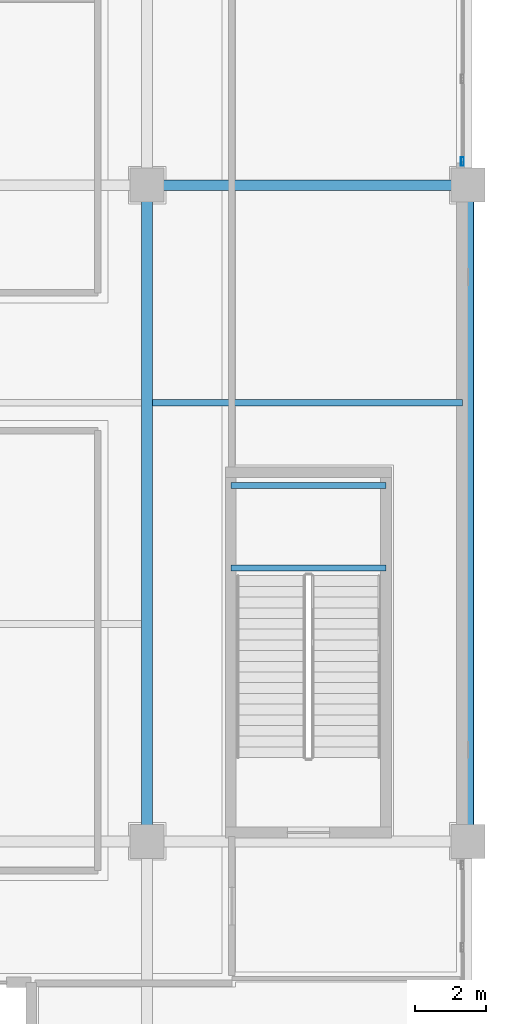
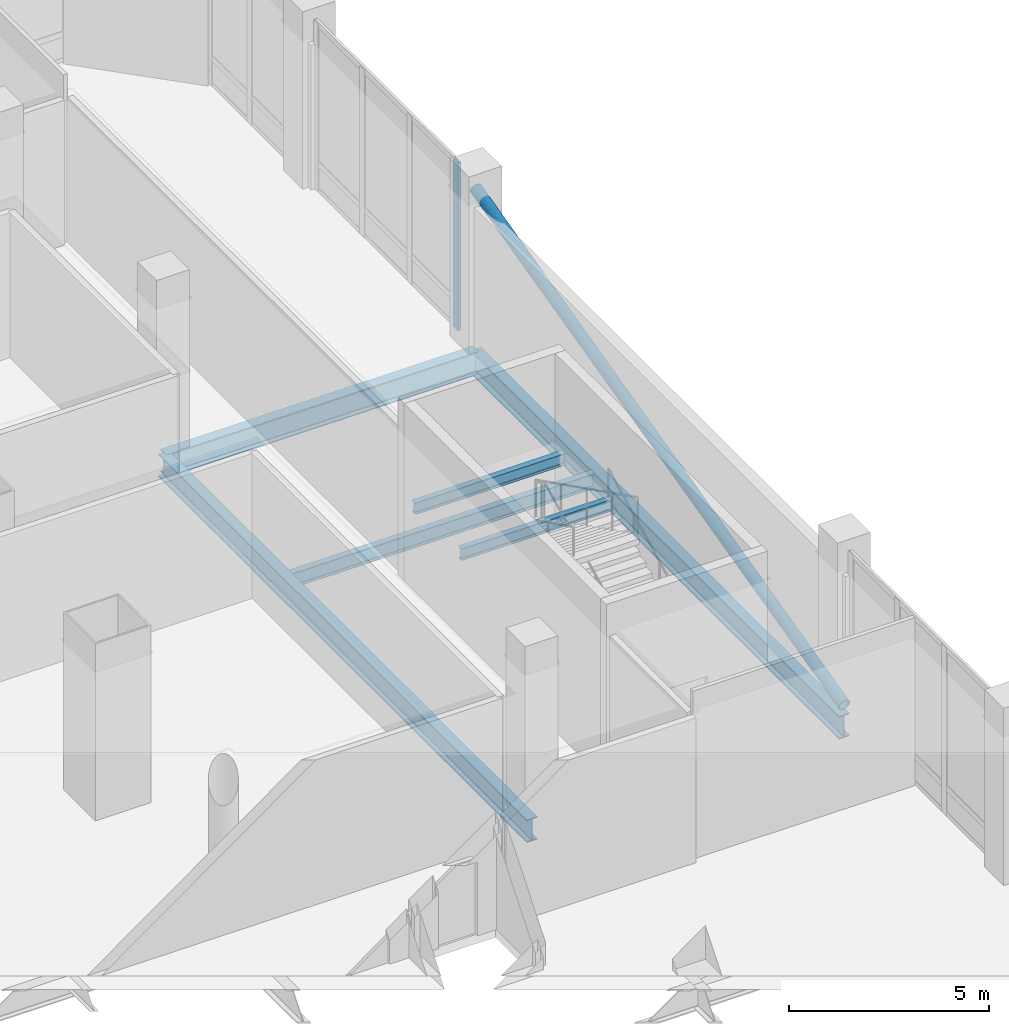
# One storey, part 22 of 43: 6 beams, 2 members, 1 element without a shape of its own.
"""IFC4 building model written with IfcOpenShell, lengths in metres."""

from ifc_helpers import new_model, si_unit, direction, frame, origin, origin_2d, place, context, subcontext, project, spatial, hollow_rectangle, hollow_circle, i_section, extrude, material, material_profile, profile_set, type_object, element, aggregate, save


model = new_model("IFC4")

# Units and contexts
model_context = context("Model", 3, precision=1e-05, world=origin(), true_north=direction((0.0, 1.0)))
body_context = subcontext(model_context, "Body", "Model", "MODEL_VIEW")
ifc_project = project(units=[si_unit("LENGTHUNIT", "METRE"), si_unit("AREAUNIT", "SQUARE_METRE"), si_unit("VOLUMEUNIT", "CUBIC_METRE"), si_unit("PLANEANGLEUNIT", "RADIAN"), si_unit("MASSUNIT", "GRAM", prefix="KILO")], contexts=[model_context])

# Site, building, storey
site_placement = place(None, origin())
site = spatial("IfcSite", under=ifc_project, at=site_placement, CompositionType="ELEMENT")
building_placement = place(site_placement, origin())
building = spatial("IfcBuilding", under=site, at=building_placement, Name="Punatoya Terracotta Tower", CompositionType="ELEMENT")
storey_placement = place(building_placement, frame((0.0, 0.0, 6.0)))
storey = spatial("IfcBuildingStorey", under=building, at=storey_placement, Name="L01", CompositionType="ELEMENT", Elevation=6.0)

# Beams
ifc_material_1 = material(Name="Steel S355", Category="steel")
ifc_material_profile_1 = material_profile(ifc_material_1, i_section(OverallWidth=0.300048828125, OverallDepth=0.699951171875, WebThickness=0.01708984375, FlangeThickness=0.031982421875, FilletRadius=0.01806640625, at=origin_2d()))
ifc_profile_set_1 = profile_set([ifc_material_profile_1], Name="Steel S355")
beam_type_1 = type_object("IfcBeamType", Name="BM-PRI-700", PredefinedType="BEAM", material=ifc_profile_set_1)
beam_1_placement = place(storey_placement, frame((28.0, 9.199951171875, -0.6298828125), z_axis=(1.0, 0.0, 0.0), x_axis=(0.0, 1.0, 0.0)))
element("IfcBeam", 1, at=beam_1_placement, inside=storey, type_object=beam_type_1, Name="BM-L01-FE2", PredefinedType="BEAM", context=body_context, shape_type="SweptSolid", body=[
    extrude(i_section(OverallWidth=0.300048828125, OverallDepth=0.699951171875, WebThickness=0.01708984375, FlangeThickness=0.031982421875, FilletRadius=0.01806640625, at=origin_2d()), origin(), (0.0, 0.0, 1.0), 9.0),
])
for number, where, z_axis, x_axis, name in (
    (2, (28.0, -9.199951171875, -0.6298828125), (0.0, 1.0, 0.0), (-1.0, 0.0, 0.0), "BM-L01-X28E--9"),
    (3, (37.0, -9.199951171875, -0.6298828125), (0.0, 1.0, 0.0), (-1.0, 0.0, 0.0), "BM-L01-X37E--9"),
):
    element("IfcBeam", number, at=place(storey_placement, frame(where, z_axis=z_axis, x_axis=x_axis)), inside=storey, type_object=beam_type_1, Name=name, PredefinedType="BEAM", context=body_context, shape_type="SweptSolid", body=[
        extrude(i_section(OverallWidth=0.300048828125, OverallDepth=0.699951171875, WebThickness=0.01708984375, FlangeThickness=0.031982421875, FilletRadius=0.01806640625, at=origin_2d()), origin(), (0.0, 0.0, 1.0), 18.39990234375),
    ])
ifc_material_profile_2 = material_profile(ifc_material_1, i_section(OverallWidth=0.169921875, OverallDepth=0.360107421875, WebThickness=0.008056640625, FlangeThickness=0.0126953125, FilletRadius=0.01806640625, at=origin_2d()))
ifc_profile_set_2 = profile_set([ifc_material_profile_2], Name="Steel S355")
beam_type_2 = type_object("IfcBeamType", Name="BM-SEC-360", PredefinedType="JOIST", material=ifc_profile_set_2)
for number, where, z_axis, x_axis, name in (
    (4, (30.35009765625, -1.530029296875, 2.320068359375), (1.0, 0.0, 0.0), (0.0, 1.0, 0.0), "BM-L01-ST-P2-LD1A"),
    (5, (30.35009765625, 0.780029296875, 2.320068359375), (1.0, 0.0, 0.0), (0.0, 1.0, 0.0), "BM-L01-ST-P2-LD1B"),
):
    element("IfcBeam", number, at=place(storey_placement, frame(where, z_axis=z_axis, x_axis=x_axis)), inside=storey, type_object=beam_type_2, Name=name, PredefinedType="JOIST", context=body_context, shape_type="SweptSolid", body=[
        extrude(i_section(OverallWidth=0.169921875, OverallDepth=0.360107421875, WebThickness=0.008056640625, FlangeThickness=0.0126953125, FilletRadius=0.01806640625, at=origin_2d()), origin(), (0.0, 0.0, 1.0), 4.349853515625),
    ])
ifc_material_profile_3 = material_profile(ifc_material_1, i_section(OverallWidth=0.18994140625, OverallDepth=0.449951171875, WebThickness=0.009521484375, FlangeThickness=0.0146484375, FilletRadius=0.01806640625, at=origin_2d()))
ifc_profile_set_3 = profile_set([ifc_material_profile_3], Name="Steel S355")
beam_type_3 = type_object("IfcBeamType", Name="BM-SEC-450", PredefinedType="JOIST", material=ifc_profile_set_3)
beam_2_placement = place(storey_placement, frame((28.14990234375, 3.10009765625, -0.5048828125), z_axis=(1.0, 0.0, 0.0), x_axis=(0.0, 1.0, 0.0)))
element("IfcBeam", 6, at=beam_2_placement, inside=storey, type_object=beam_type_3, Name="BM-L01-WNGJ-E2-31", PredefinedType="JOIST", context=body_context, shape_type="SweptSolid", body=[
    extrude(i_section(OverallWidth=0.18994140625, OverallDepth=0.449951171875, WebThickness=0.009521484375, FlangeThickness=0.0146484375, FilletRadius=0.01806640625, at=origin_2d()), origin(), (0.0, 0.0, 1.0), 8.7001953125),
])

# Curtain wall, member
ifc_material_2 = material(Name="Aluminium 6063-T6 + Double Low-E Glass", Category="aluminium")
curtain_wall_type = type_object("IfcCurtainWallType", Name="CW-POD", PredefinedType="NOTDEFINED", material=ifc_material_2)
curtain_wall_placement = place(storey_placement, origin())
curtain_wall = element("IfcCurtainWall", 7, at=curtain_wall_placement, inside=storey, type_object=curtain_wall_type, Name="L01 Curtain Wall CWP-L01-E3", PredefinedType="NOTDEFINED")
ifc_material_3 = material(Name="Aluminium 6063-T6", Category="aluminium")
ifc_material_profile_4 = material_profile(ifc_material_3, hollow_rectangle(XDim=0.0849609375, YDim=0.239990234375, WallThickness=0.0048828125, at=origin_2d()))
ifc_profile_set_4 = profile_set([ifc_material_profile_4], Name="Aluminium 6063-T6")
member_type_1 = type_object("IfcMemberType", Name="CW-MUL-POD", PredefinedType="MULLION", material=ifc_profile_set_4)
member_1_placement = place(storey_placement, frame((36.840087890625, 9.864990234375, 0.0), z_axis=(0.0, 0.0, 1.0), x_axis=(1.0, 0.0, 0.0)))
member_1 = element("IfcMember", 8, at=member_1_placement, type_object=member_type_1, Name="CWP-L01-E3 Mullion 03", PredefinedType="MULLION", context=body_context, shape_type="SweptSolid", body=[
    extrude(hollow_rectangle(XDim=0.0849609375, YDim=0.239990234375, WallThickness=0.0048828125, at=origin_2d()), origin(), (0.0, 0.0, 1.0), 5.1201171875),
])
aggregate(curtain_wall, [member_1])

# Member
ifc_material_profile_5 = material_profile(ifc_material_1, hollow_circle(Radius=0.162109375, WallThickness=0.01611328125, at=origin_2d()))
ifc_profile_set_5 = profile_set([ifc_material_profile_5], Name="Steel S355")
member_type_2 = type_object("IfcMemberType", Name="MEM-POD-CHS", PredefinedType="BRACE", material=ifc_profile_set_5)
member_2_placement = place(storey_placement, frame((37.0, -9.199951171875, 0.02001953125), z_axis=(0.0, 0.970388907621, 0.241547858543), x_axis=(-1.0, 0.0, 0.0)))
element("IfcMember", 9, at=member_2_placement, inside=storey, type_object=member_type_2, Name="L01 Podium Lateral Brace PBR-2", PredefinedType="BRACE", context=body_context, shape_type="SweptSolid", body=[
    extrude(hollow_circle(Radius=0.162109375, WallThickness=0.01611328125, at=origin_2d()), origin(), (0.0, 0.0, 1.0), 18.96142578125),
])

save(model, "model.ifc")
